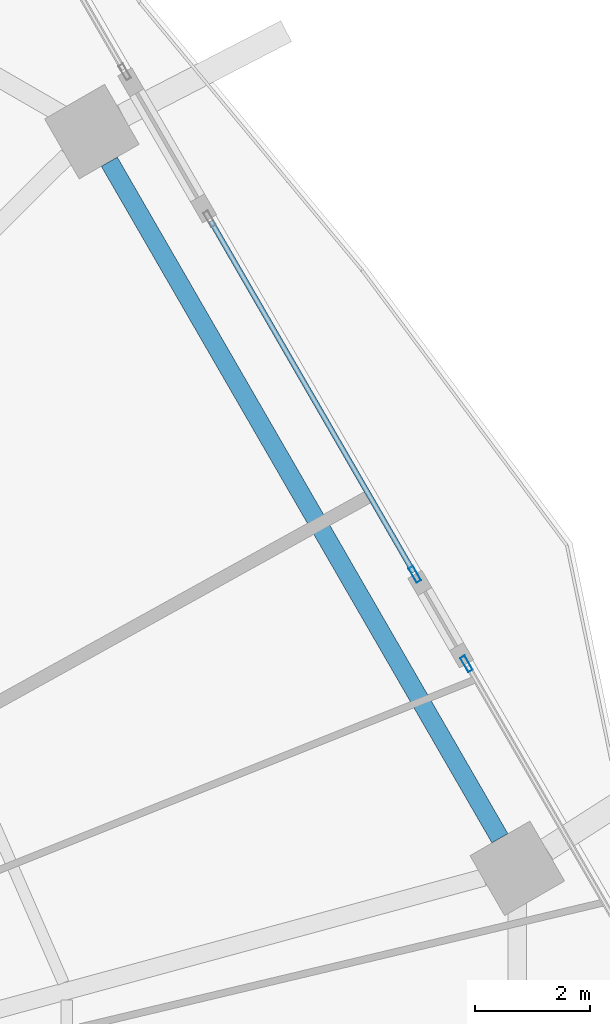
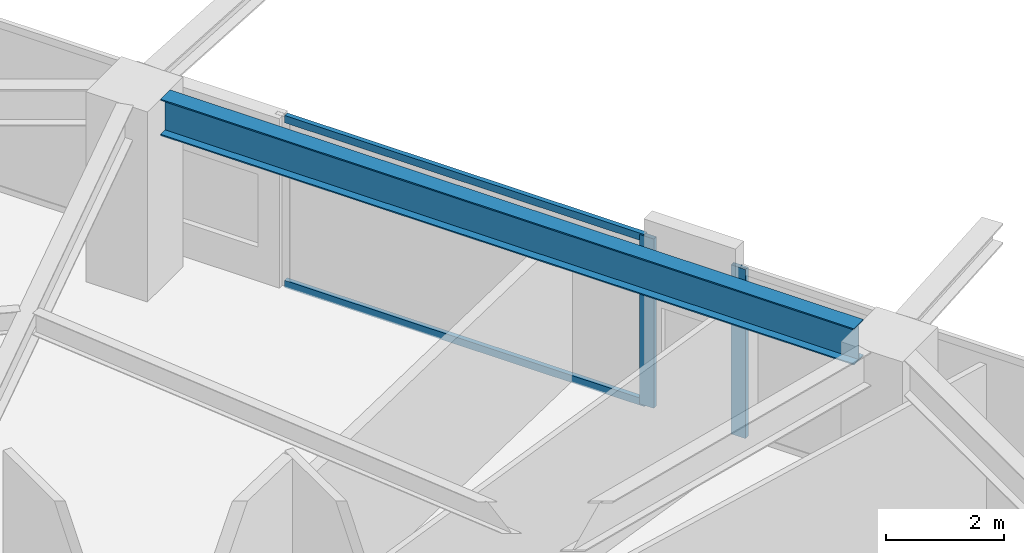
# One storey, part 17 of 27: 4 members, 1 beam, 2 elements without a shape of their own.
"""IFC4 building model written with IfcOpenShell, lengths in metres."""

from ifc_helpers import new_model, si_unit, direction, frame, origin, origin_2d, place, context, subcontext, project, spatial, hollow_rectangle, i_section, extrude, material, material_profile, profile_set, type_object, element, aggregate, save


model = new_model("IFC4")

# Units and contexts
model_context = context("Model", 3, precision=1e-05, world=origin(), true_north=direction((0.0, 1.0)))
body_context = subcontext(model_context, "Body", "Model", "MODEL_VIEW")
ifc_project = project(units=[si_unit("LENGTHUNIT", "METRE"), si_unit("AREAUNIT", "SQUARE_METRE"), si_unit("VOLUMEUNIT", "CUBIC_METRE"), si_unit("PLANEANGLEUNIT", "RADIAN"), si_unit("MASSUNIT", "GRAM", prefix="KILO")], contexts=[model_context])

# Site, building, storey
site_placement = place(None, origin())
site = spatial("IfcSite", under=ifc_project, at=site_placement, CompositionType="ELEMENT")
building_placement = place(site_placement, origin())
building = spatial("IfcBuilding", under=site, at=building_placement, Name="Zuhravey Tower", CompositionType="ELEMENT")
storey_placement = place(building_placement, frame((0.0, 0.0, 12.0)))
storey = spatial("IfcBuildingStorey", under=building, at=storey_placement, Name="L03", CompositionType="ELEMENT", Elevation=12.0)

# Curtain wall, member
ifc_material_1 = material(Name="Thermally broken anodised aluminium", Category="aluminium")
curtain_wall_type = type_object("IfcCurtainWallType", Name="School Low-E Unitised Curtain Wall CW1", PredefinedType="NOTDEFINED", material=ifc_material_1)
curtain_wall_1_placement = place(storey_placement, origin())
curtain_wall_1 = element("IfcCurtainWall", 1, at=curtain_wall_1_placement, inside=storey, type_object=curtain_wall_type, Name="L03 CW1 CW-L03-F1-2", PredefinedType="NOTDEFINED")
ifc_material_2 = material(Name="Anodised aluminium", Category="aluminium")
ifc_material_profile_1 = material_profile(ifc_material_2, hollow_rectangle(XDim=0.090087890625, YDim=0.284912109375, WallThickness=0.0048828125, at=origin_2d()), Name="ALU-RHS-90x285x5")
ifc_profile_set_1 = profile_set([ifc_material_profile_1], Name="Anodised aluminium")
member_type_1 = type_object("IfcMemberType", Name="Curtain-Wall Mullion 90x180", PredefinedType="MULLION", material=ifc_profile_set_1)
member_1_placement = place(storey_placement, frame((62.114013671875, 44.68603515625, 0.0), z_axis=(0.0, 0.0, 1.0), x_axis=(0.866024203746, 0.500002078522, 0.0)))
member_1 = element("IfcMember", 2, at=member_1_placement, type_object=member_type_1, Name="CW1 mullion 2", PredefinedType="MULLION", context=body_context, shape_type="SweptSolid", body=[
    extrude(hollow_rectangle(XDim=0.090087890625, YDim=0.284912109375, WallThickness=0.0048828125, at=origin_2d()), origin(), (0.0, 0.0, 1.0), 3.491943359375),
])

curtain_wall_2_placement = place(storey_placement, origin())
curtain_wall_2 = element("IfcCurtainWall", 3, at=curtain_wall_2_placement, inside=storey, type_object=curtain_wall_type, Name="L03 CW1 CW-L03-F1-3", PredefinedType="NOTDEFINED")
member_2_placement = place(storey_placement, frame((63.009033203125, 43.1357421875, 0.0), z_axis=(0.0, 0.0, 1.0), x_axis=(0.866026545681, 0.499998022171, 0.0)))
member_2 = element("IfcMember", 4, at=member_2_placement, type_object=member_type_1, Name="CW1 mullion 1", PredefinedType="MULLION", context=body_context, shape_type="SweptSolid", body=[
    extrude(hollow_rectangle(XDim=0.090087890625, YDim=0.284912109375, WallThickness=0.0048828125, at=origin_2d()), origin(), (0.0, 0.0, 1.0), 3.491943359375),
])
aggregate(curtain_wall_2, [member_2])

# Member
ifc_material_profile_2 = material_profile(ifc_material_2, hollow_rectangle(XDim=0.090087890625, YDim=0.14990234375, WallThickness=0.0048828125, at=origin_2d()), Name="ALU-RHS-90x150x5")
ifc_profile_set_2 = profile_set([ifc_material_profile_2], Name="Anodised aluminium")
member_type_2 = type_object("IfcMemberType", Name="Curtain-Wall Transom 90x150", PredefinedType="USERDEFINED", material=ifc_profile_set_2)
member_3_placement = place(storey_placement, frame((58.580322265625, 50.806640625, 0.044921875), z_axis=(0.499990286041, -0.866031012069, 0.0), x_axis=(0.866031012069, 0.499990286041, 0.0)))
member_3 = element("IfcMember", 5, at=member_3_placement, type_object=member_type_2, Name="CW1 transom 1.1", ObjectType="TRANSOM", PredefinedType="USERDEFINED", context=body_context, shape_type="SweptSolid", body=[
    extrude(hollow_rectangle(XDim=0.090087890625, YDim=0.14990234375, WallThickness=0.0048828125, at=origin_2d()), origin(), (0.0, 0.0, 1.0), 7.022705078125),
])

member_4_placement = place(storey_placement, frame((58.580322265625, 50.806640625, 3.447021484375), z_axis=(0.499990286041, -0.866031012069, 0.0), x_axis=(0.866031012069, 0.499990286041, 0.0)))
member_4 = element("IfcMember", 6, at=member_4_placement, type_object=member_type_2, Name="CW1 transom 1.2", ObjectType="TRANSOM", PredefinedType="USERDEFINED", context=body_context, shape_type="SweptSolid", body=[
    extrude(hollow_rectangle(XDim=0.090087890625, YDim=0.14990234375, WallThickness=0.0048828125, at=origin_2d()), origin(), (0.0, 0.0, 1.0), 7.022705078125),
])

aggregate(curtain_wall_1, [member_1, member_3, member_4])

# Beam
ifc_material_3 = material(Name="Steel SM355", Category="steel")
ifc_material_profile_3 = material_profile(ifc_material_3, i_section(OverallWidth=0.320068359375, OverallDepth=0.75, WebThickness=0.013916015625, FlangeThickness=0.02490234375, at=origin_2d()), Name="H-750x320x14x25")
ifc_profile_set_3 = profile_set([ifc_material_profile_3], Name="Steel SM355")
beam_type = type_object("IfcBeamType", Name="Perimeter Ring Beam H750x320", PredefinedType="BEAM", material=ifc_profile_set_3)
beam_placement = place(storey_placement, frame((63.587646484375, 40.11376953125, 3.544921875), z_axis=(-0.499999877243, 0.866025474658, 0.0), x_axis=(-0.866025474658, -0.499999877243, 0.0)))
element("IfcBeam", 7, at=beam_placement, inside=storey, type_object=beam_type, Name="L03 PB1 BM-L03-PB-01", PredefinedType="BEAM", context=body_context, shape_type="SweptSolid", body=[
    extrude(i_section(OverallWidth=0.320068359375, OverallDepth=0.75, WebThickness=0.013916015625, FlangeThickness=0.02490234375, at=origin_2d()), origin(), (0.0, 0.0, 1.0), 13.5341796875),
])

save(model, "model.ifc")
